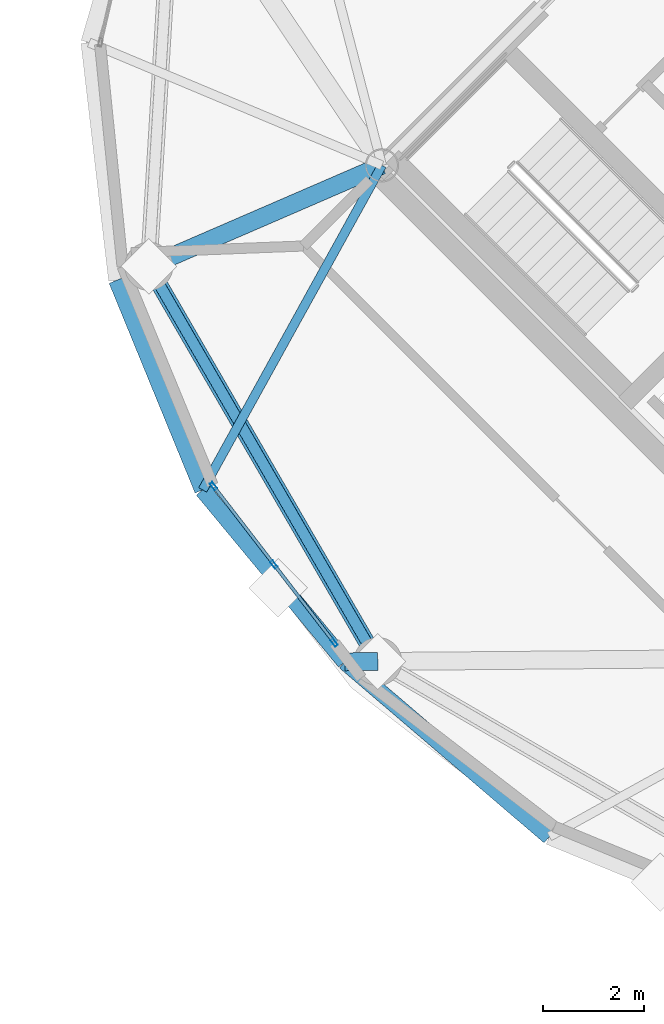
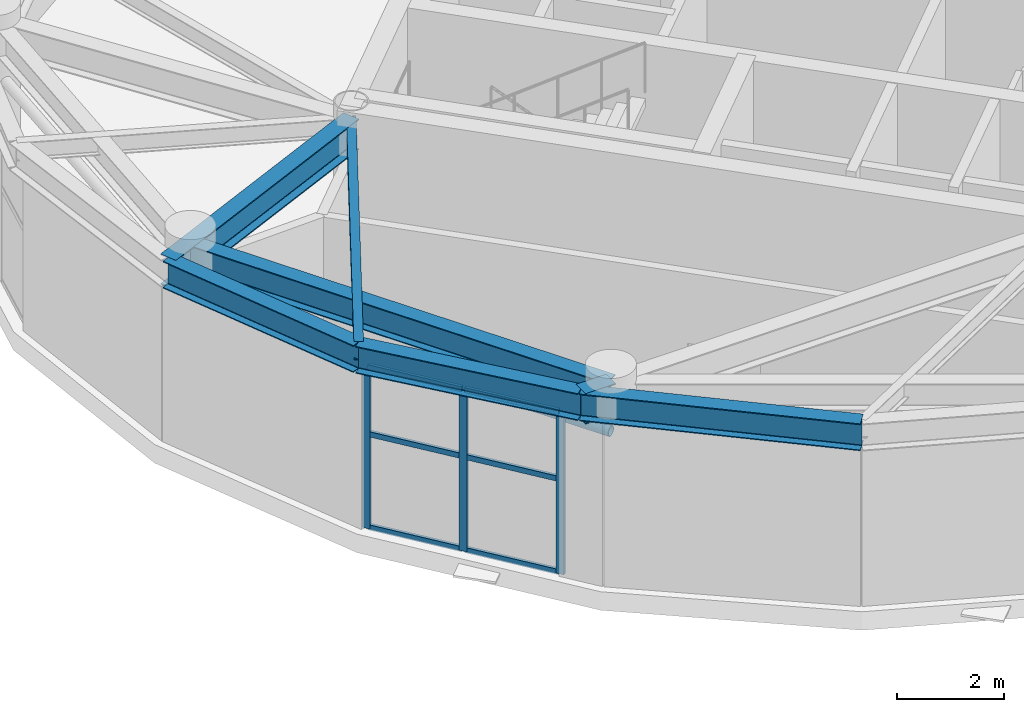
# One storey, part 12 of 28: 10 members, 7 beams, 1 element without a shape of its own.
"""IFC4 building model written with IfcOpenShell, lengths in metres."""

from ifc_helpers import new_model, si_unit, direction, frame, origin, origin_2d, place, context, subcontext, project, spatial, hollow_rectangle, hollow_circle, i_section, extrude, material, layer, layer_set, material_profile, profile_set, type_object, element, aggregate, save


model = new_model("IFC4")

# Units and contexts
model_context = context("Model", 3, precision=1e-05, world=origin(), true_north=direction((0.0, 1.0)))
body_context = subcontext(model_context, "Body", "Model", "MODEL_VIEW")
ifc_project = project(units=[si_unit("LENGTHUNIT", "METRE"), si_unit("AREAUNIT", "SQUARE_METRE"), si_unit("VOLUMEUNIT", "CUBIC_METRE"), si_unit("PLANEANGLEUNIT", "RADIAN"), si_unit("MASSUNIT", "GRAM", prefix="KILO")], contexts=[model_context])

# Site, building, storey
site_placement = place(None, origin())
site = spatial("IfcSite", under=ifc_project, at=site_placement, CompositionType="ELEMENT")
building_placement = place(site_placement, origin())
building = spatial("IfcBuilding", under=site, at=building_placement, Name="Cununo Teusaquillo Station Towers", CompositionType="ELEMENT")
storey_placement = place(building_placement, frame((0.0, 0.0, 235.64990234375)))
storey = spatial("IfcBuildingStorey", under=building, at=storey_placement, Name="L75", CompositionType="ELEMENT", Elevation=235.64990234375)

# Beams
ifc_material_1 = material(Name="Steel ASTM A572 Grade 50", Category="steel")
ifc_material_profile_1 = material_profile(ifc_material_1, i_section(OverallWidth=0.180908203125, OverallDepth=0.4169921875, WebThickness=0.010986328125, FlangeThickness=0.018310546875, FilletRadius=0.012939453125, at=origin_2d()), Name="W16X57")
ifc_profile_set_1 = profile_set([ifc_material_profile_1], Name="Steel ASTM A572 Grade 50")
beam_type_1 = type_object("IfcBeamType", Name="BM-JOIST-1", PredefinedType="JOIST", material=ifc_profile_set_1)
beam_1_placement = place(storey_placement, frame((48.975830078125, 25.70556640625, 4.131591796875), z_axis=(-0.483552544108, -0.8753153358, 0.0), x_axis=(0.8753153358, -0.483552544108, 0.0)))
element("IfcBeam", 1, at=beam_1_placement, inside=storey, type_object=beam_type_1, Name="L75 Tower B Radial Spandrel Joist V09", PredefinedType="JOIST", context=body_context, shape_type="SweptSolid", body=[
    extrude(i_section(OverallWidth=0.180908203125, OverallDepth=0.4169921875, WebThickness=0.010986328125, FlangeThickness=0.018310546875, FilletRadius=0.012939453125, at=origin_2d()), origin(), (0.0, 0.0, 1.0), 7.3330078125),
])
ifc_material_2 = material(Name="Steel ASTM A572 Grade 50", Category="steel")
ifc_material_profile_2 = material_profile(ifc_material_2, i_section(OverallWidth=0.35498046875, OverallDepth=0.696044921875, WebThickness=0.015380859375, FlangeThickness=0.02490234375, FilletRadius=0.01806640625, at=origin_2d()), Name="W27X146")
ifc_profile_set_2 = profile_set([ifc_material_profile_2], Name="Steel ASTM A572 Grade 50")
beam_type_2 = type_object("IfcBeamType", Name="BM-PLNT-G1", PredefinedType="BEAM", material=ifc_profile_set_2)
beam_2_placement = place(storey_placement, frame((48.975830078125, 25.70556640625, 3.9921875), z_axis=(-0.917665176837, -0.397354530893, 0.0), x_axis=(0.397354530893, -0.917665176837, 0.0)))
element("IfcBeam", 2, at=beam_2_placement, inside=storey, type_object=beam_type_2, Name="L75 Tower B Continuous Overhanging Radial Girder 05", PredefinedType="BEAM", context=body_context, shape_type="SweptSolid", body=[
    extrude(i_section(OverallWidth=0.35498046875, OverallDepth=0.696044921875, WebThickness=0.015380859375, FlangeThickness=0.02490234375, FilletRadius=0.01806640625, at=origin_2d()), origin(), (0.0, 0.0, 1.0), 5.716552734375),
])
beam_3_placement = place(storey_placement, frame((48.89306640625, 15.89306640625, 3.9921875), z_axis=(-0.999962704276, -0.008636553586, 0.0), x_axis=(0.008636553586, -0.999962704276, 0.0)))
element("IfcBeam", 3, at=beam_3_placement, inside=storey, type_object=beam_type_2, Name="L75 Tower B Perimeter Overhang Girder 06B", PredefinedType="BEAM", context=body_context, shape_type="SweptSolid", body=[
    extrude(i_section(OverallWidth=0.35498046875, OverallDepth=0.696044921875, WebThickness=0.015380859375, FlangeThickness=0.02490234375, FilletRadius=0.01806640625, at=origin_2d()), origin(), (0.0, 0.0, 1.0), 0.650146484375),
])
ifc_material_3 = material(Name="Steel ASTM A572 Grade 50", Category="steel")
ifc_material_profile_3 = material_profile(ifc_material_3, i_section(OverallWidth=0.324951171875, OverallDepth=0.615966796875, WebThickness=0.013916015625, FlangeThickness=0.021484375, FilletRadius=0.01611328125, at=origin_2d()), Name="W24X117")
ifc_profile_set_3 = profile_set([ifc_material_profile_3], Name="Steel ASTM A572 Grade 50")
beam_type_3 = type_object("IfcBeamType", Name="BM-PLNT-G2", PredefinedType="BEAM", material=ifc_profile_set_3)
beam_4_placement = place(storey_placement, frame((44.36474609375, 23.708984375, 4.031982421875), z_axis=(0.501311121078, -0.865267103202, 0.0), x_axis=(0.865267103202, 0.501311121078, 0.0)))
element("IfcBeam", 4, at=beam_4_placement, inside=storey, type_object=beam_type_3, Name="L75 Tower B Structural Column Ring Girder 05", PredefinedType="BEAM", context=body_context, shape_type="SweptSolid", body=[
    extrude(i_section(OverallWidth=0.324951171875, OverallDepth=0.615966796875, WebThickness=0.013916015625, FlangeThickness=0.021484375, FilletRadius=0.01611328125, at=origin_2d()), origin(), (0.0, 0.0, 1.0), 9.032958984375),
])
beam_5_placement = place(storey_placement, frame((43.72998046875, 23.43408203125, 4.031982421875), z_axis=(0.379275405388, -0.925283830437, 0.0), x_axis=(0.925283830437, 0.379275405388, 0.0)))
element("IfcBeam", 5, at=beam_5_placement, inside=storey, type_object=beam_type_3, Name="L75 Tower B Spandrel Ring Beam 09", PredefinedType="BEAM", context=body_context, shape_type="SweptSolid", body=[
    extrude(i_section(OverallWidth=0.324951171875, OverallDepth=0.615966796875, WebThickness=0.013916015625, FlangeThickness=0.021484375, FilletRadius=0.01611328125, at=origin_2d()), origin(), (0.0, 0.0, 1.0), 4.482177734375),
])
beam_6_placement = place(storey_placement, frame((45.429931640625, 19.286865234375, 4.031982421875), z_axis=(0.637524682095, -0.770429931739, 0.0), x_axis=(0.770429931739, 0.637524682095, 0.0)))
element("IfcBeam", 6, at=beam_6_placement, inside=storey, type_object=beam_type_3, Name="L75 Tower B Spandrel Ring Beam 10", PredefinedType="BEAM", context=body_context, shape_type="SweptSolid", body=[
    extrude(i_section(OverallWidth=0.324951171875, OverallDepth=0.615966796875, WebThickness=0.013916015625, FlangeThickness=0.021484375, FilletRadius=0.01611328125, at=origin_2d()), origin(), (0.0, 0.0, 1.0), 4.412353515625),
])
beam_7_placement = place(storey_placement, frame((48.242919921875, 15.887451171875, 4.031982421875), z_axis=(0.760065778291, -0.649846145385, 0.0), x_axis=(0.649846145385, 0.760065778291, 0.0)))
element("IfcBeam", 7, at=beam_7_placement, inside=storey, type_object=beam_type_3, Name="L75 Tower B Spandrel Ring Beam 11", PredefinedType="BEAM", context=body_context, shape_type="SweptSolid", body=[
    extrude(i_section(OverallWidth=0.324951171875, OverallDepth=0.615966796875, WebThickness=0.013916015625, FlangeThickness=0.021484375, FilletRadius=0.01611328125, at=origin_2d()), origin(), (0.0, 0.0, 1.0), 5.320556640625),
])

# Curtain wall, members
ifc_material_4 = material(Name="Ceramic-fritted dark low-E double glazing", Category="glass")
ifc_layer = layer(ifc_material_4, 0.179931640625)
ifc_layer_set = layer_set([ifc_layer], Name="Ceramic-fritted dark low-E double glazing")
curtain_wall_type = type_object("IfcCurtainWallType", Name="CW-SYS-08", PredefinedType="USERDEFINED", material=ifc_layer_set)
curtain_wall_placement = place(storey_placement, origin())
curtain_wall = element("IfcCurtainWall", 8, at=curtain_wall_placement, inside=storey, type_object=curtain_wall_type, Name="L75 Tower B Crown Drum Glazed Screen C09", ObjectType="FRITTED GLAZING", PredefinedType="USERDEFINED")
ifc_material_5 = material(Name="Anodised dark bronze aluminium EN AW-6063-T6", Category="aluminium")
ifc_material_profile_4 = material_profile(ifc_material_5, hollow_rectangle(XDim=0.06494140625, YDim=0.159912109375, WallThickness=0.00390625, at=origin_2d()), Name="CW-MULL-65x160")
ifc_profile_set_4 = profile_set([ifc_material_profile_4], Name="Anodised dark bronze aluminium EN AW-6063-T6")
member_type_1 = type_object("IfcMemberType", Name="CWM-160", PredefinedType="MULLION", material=ifc_profile_set_4)
member_1_placement = place(storey_placement, frame((48.0302734375, 16.26806640625, 0.0), z_axis=(0.0, 0.0, 1.0), x_axis=(-0.791965285757, -0.610566119397, 0.0)))
member_1 = element("IfcMember", 9, at=member_1_placement, type_object=member_type_1, Name="CW-08 mullion 1", PredefinedType="MULLION", context=body_context, shape_type="SweptSolid", body=[
    extrude(hollow_rectangle(XDim=0.06494140625, YDim=0.159912109375, WallThickness=0.00390625, at=origin_2d()), origin(), (0.0, 0.0, 1.0), 3.696044921875),
])
member_2_placement = place(storey_placement, frame((46.838134765625, 17.814453125, 0.0), z_axis=(0.0, 0.0, 1.0), x_axis=(-0.791965285757, -0.610566119397, 0.0)))
member_2 = element("IfcMember", 10, at=member_2_placement, type_object=member_type_1, Name="CW-08 mullion 2", PredefinedType="MULLION", context=body_context, shape_type="SweptSolid", body=[
    extrude(hollow_rectangle(XDim=0.06494140625, YDim=0.159912109375, WallThickness=0.00390625, at=origin_2d()), origin(), (0.0, 0.0, 1.0), 3.696044921875),
])
member_3_placement = place(storey_placement, frame((45.64599609375, 19.36083984375, 0.0), z_axis=(0.0, 0.0, 1.0), x_axis=(-0.791965285757, -0.610566119397, 0.0)))
member_3 = element("IfcMember", 11, at=member_3_placement, type_object=member_type_1, Name="CW-08 mullion 3", PredefinedType="MULLION", context=body_context, shape_type="SweptSolid", body=[
    extrude(hollow_rectangle(XDim=0.06494140625, YDim=0.159912109375, WallThickness=0.00390625, at=origin_2d()), origin(), (0.0, 0.0, 1.0), 3.696044921875),
])
ifc_material_6 = material(Name="Anodised dark bronze aluminium EN AW-6063-T6", Category="aluminium")
ifc_material_profile_5 = material_profile(ifc_material_6, hollow_rectangle(XDim=0.06494140625, YDim=0.1201171875, WallThickness=0.00390625, at=origin_2d()), Name="CW-TRAN-65x120")
ifc_profile_set_5 = profile_set([ifc_material_profile_5], Name="Anodised dark bronze aluminium EN AW-6063-T6")
member_type_2 = type_object("IfcMemberType", Name="CWT-120", PredefinedType="USERDEFINED", material=ifc_profile_set_5)
member_4_placement = place(storey_placement, frame((48.010498046875, 16.2939453125, 0.03271484375), z_axis=(-0.610604198997, 0.791935926807, 0.0), x_axis=(-0.791935926807, -0.610604198997, 0.0)))
member_4 = element("IfcMember", 12, at=member_4_placement, type_object=member_type_2, Name="CW-08 transom 1.1", ObjectType="TRANSOM", PredefinedType="USERDEFINED", context=body_context, shape_type="SweptSolid", body=[
    extrude(hollow_rectangle(XDim=0.06494140625, YDim=0.1201171875, WallThickness=0.00390625, at=origin_2d()), origin(), (0.0, 0.0, 1.0), 1.8876953125),
])
member_5_placement = place(storey_placement, frame((48.010498046875, 16.2939453125, 2.150146484375), z_axis=(-0.610604198997, 0.791935926807, 0.0), x_axis=(-0.791935926807, -0.610604198997, 0.0)))
member_5 = element("IfcMember", 13, at=member_5_placement, type_object=member_type_2, Name="CW-08 transom 1.2", ObjectType="TRANSOM", PredefinedType="USERDEFINED", context=body_context, shape_type="SweptSolid", body=[
    extrude(hollow_rectangle(XDim=0.06494140625, YDim=0.1201171875, WallThickness=0.00390625, at=origin_2d()), origin(), (0.0, 0.0, 1.0), 1.8876953125),
])
member_6_placement = place(storey_placement, frame((48.010498046875, 16.2939453125, 3.66357421875), z_axis=(-0.610604198997, 0.791935926807, 0.0), x_axis=(-0.791935926807, -0.610604198997, 0.0)))
member_6 = element("IfcMember", 14, at=member_6_placement, type_object=member_type_2, Name="CW-08 transom 1.3", ObjectType="TRANSOM", PredefinedType="USERDEFINED", context=body_context, shape_type="SweptSolid", body=[
    extrude(hollow_rectangle(XDim=0.06494140625, YDim=0.1201171875, WallThickness=0.00390625, at=origin_2d()), origin(), (0.0, 0.0, 1.0), 1.8876953125),
])
member_7_placement = place(storey_placement, frame((46.818359375, 17.84033203125, 0.03271484375), z_axis=(-0.610604198997, 0.791935926807, 0.0), x_axis=(-0.791935926807, -0.610604198997, 0.0)))
member_7 = element("IfcMember", 15, at=member_7_placement, type_object=member_type_2, Name="CW-08 transom 2.1", ObjectType="TRANSOM", PredefinedType="USERDEFINED", context=body_context, shape_type="SweptSolid", body=[
    extrude(hollow_rectangle(XDim=0.06494140625, YDim=0.1201171875, WallThickness=0.00390625, at=origin_2d()), origin(), (0.0, 0.0, 1.0), 1.8876953125),
])
member_8_placement = place(storey_placement, frame((46.818359375, 17.84033203125, 2.150146484375), z_axis=(-0.610604198997, 0.791935926807, 0.0), x_axis=(-0.791935926807, -0.610604198997, 0.0)))
member_8 = element("IfcMember", 16, at=member_8_placement, type_object=member_type_2, Name="CW-08 transom 2.2", ObjectType="TRANSOM", PredefinedType="USERDEFINED", context=body_context, shape_type="SweptSolid", body=[
    extrude(hollow_rectangle(XDim=0.06494140625, YDim=0.1201171875, WallThickness=0.00390625, at=origin_2d()), origin(), (0.0, 0.0, 1.0), 1.8876953125),
])
member_9_placement = place(storey_placement, frame((46.818359375, 17.84033203125, 3.66357421875), z_axis=(-0.610604198997, 0.791935926807, 0.0), x_axis=(-0.791935926807, -0.610604198997, 0.0)))
member_9 = element("IfcMember", 17, at=member_9_placement, type_object=member_type_2, Name="CW-08 transom 2.3", ObjectType="TRANSOM", PredefinedType="USERDEFINED", context=body_context, shape_type="SweptSolid", body=[
    extrude(hollow_rectangle(XDim=0.06494140625, YDim=0.1201171875, WallThickness=0.00390625, at=origin_2d()), origin(), (0.0, 0.0, 1.0), 1.8876953125),
])
aggregate(curtain_wall, [member_1, member_2, member_3, member_4, member_5, member_6, member_7, member_8, member_9])

# Member
ifc_material_7 = material(Name="Steel EN 10025-2 S355J2", Category="steel")
ifc_material_profile_6 = material_profile(ifc_material_7, hollow_circle(Radius=0.109619140625, WallThickness=0.010009765625, at=origin_2d()), Name="CHS 219x10")
ifc_profile_set_6 = profile_set([ifc_material_profile_6], Name="Steel EN 10025-2 S355J2")
member_type_3 = type_object("IfcMemberType", Name="MBR-DRUM-COL", PredefinedType="COLLAR", material=ifc_profile_set_6)
member_10_placement = place(storey_placement, frame((44.36474609375, 23.708984375, 3.150146484375), z_axis=(0.501311121078, -0.865267103202, 0.0), x_axis=(0.865267103202, 0.501311121078, 0.0)))
element("IfcMember", 18, at=member_10_placement, inside=storey, type_object=member_type_3, Name="L75 Tower B Crown Drum Collar 05", PredefinedType="COLLAR", context=body_context, shape_type="SweptSolid", body=[
    extrude(hollow_circle(Radius=0.109619140625, WallThickness=0.010009765625, at=origin_2d()), origin(), (0.0, 0.0, 1.0), 9.032958984375),
])

save(model, "model.ifc")
